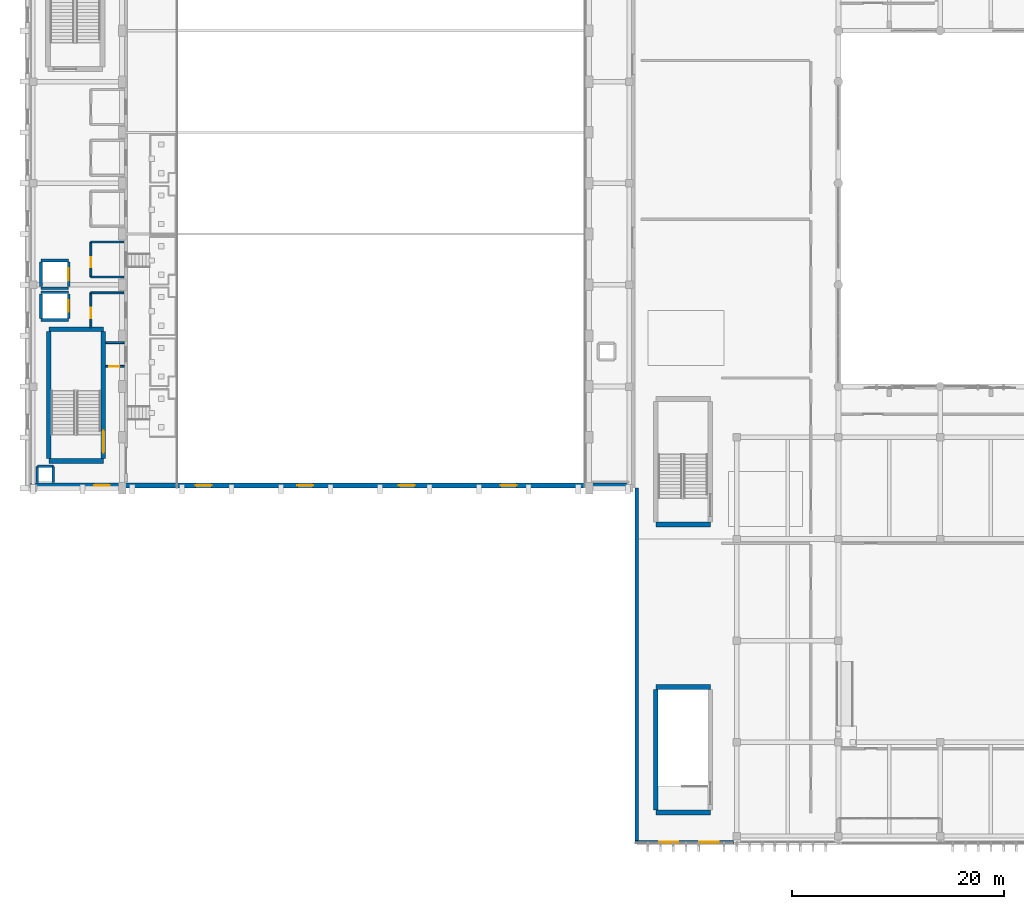
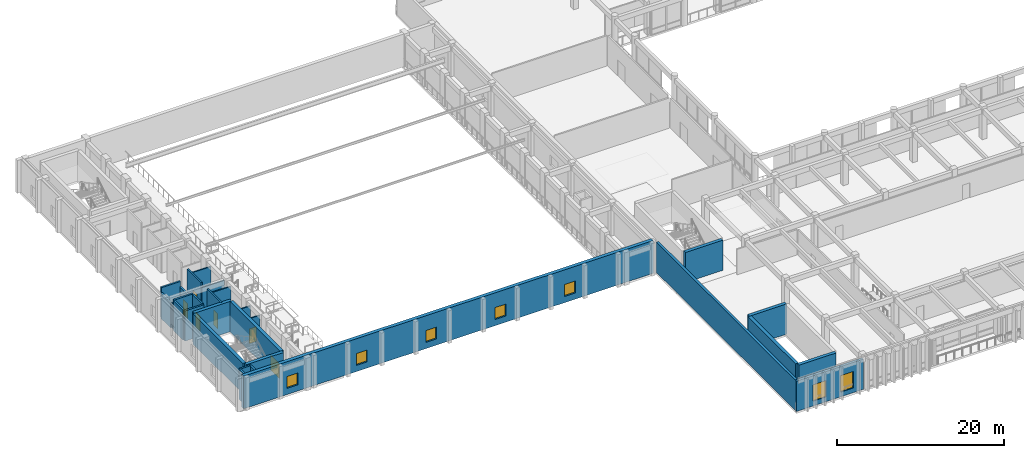
# One storey, part 98 of 133: 29 walls, 7 windows, 6 doors, 13 openings.
"""IFC4 building model written with IfcOpenShell, lengths in metres."""

from ifc_helpers import new_model, si_unit, direction, frame, frame_2d, origin, place, context, subcontext, project, spatial, rectangle, extrude, material, layer, layer_set, type_object, element, fill, save


model = new_model("IFC4")

# Units and contexts
model_context = context("Model", 3, precision=1e-05, world=origin(), true_north=direction((0.0, 1.0)))
body_context = subcontext(model_context, "Body", "Model", "MODEL_VIEW")
ifc_project = project(units=[si_unit("LENGTHUNIT", "METRE"), si_unit("AREAUNIT", "SQUARE_METRE"), si_unit("VOLUMEUNIT", "CUBIC_METRE"), si_unit("PLANEANGLEUNIT", "RADIAN"), si_unit("MASSUNIT", "GRAM", prefix="KILO")], contexts=[model_context])

# Site, building, storey
site_placement = place(None, origin())
site = spatial("IfcSite", under=ifc_project, at=site_placement, CompositionType="ELEMENT")
building_placement = place(site_placement, origin())
building = spatial("IfcBuilding", under=site, at=building_placement, Name="Nakhvara Creek Congress Hotel", CompositionType="ELEMENT")
storey_placement = place(building_placement, frame((0.0, 0.0, 11.39990234375)))
storey = spatial("IfcBuildingStorey", under=building, at=storey_placement, Name="L02", CompositionType="ELEMENT", Elevation=11.39990234375)

# Walls
ifc_material_1 = material(Name="Concrete C50/60", Category="concrete")
ifc_layer_1 = layer(ifc_material_1, 0.449951171875)
ifc_layer_set_1 = layer_set([ifc_layer_1], Name="Concrete C50/60")
wall_type_1 = type_object("IfcWallType", Name="W-CORE-450", PredefinedType="SHEAR", material=ifc_layer_set_1)
for number, where, z_axis, x_axis, name in (
    (1, (2.22998046875, 36.179931640625, 0.0), (0.0, 0.0, 1.0), (1.0, 0.0, 0.0), "Core Shear Wall WS02-CWALL-L02-0757"),
    (2, (2.22998046875, 48.6201171875, 0.0), (0.0, 0.0, 1.0), (1.0, 0.0, 0.0), "Core Shear Wall WS02-CWALL-L02-0758"),
):
    element("IfcWall", number, at=place(storey_placement, frame(where, z_axis=z_axis, x_axis=x_axis)), inside=storey, type_object=wall_type_1, Name=name, PredefinedType="SHEAR", context=body_context, shape_type="SweptSolid", body=[
        extrude(rectangle(XDim=5.14990234375, YDim=0.449951171875, at=frame_2d((2.574951171875, 0.0))), origin(), (0.0, 0.0, 1.0), 4.420166015625),
    ])
wall_1_placement = place(storey_placement, frame((2.22998046875, 36.39990234375, 0.0), z_axis=(0.0, 0.0, 1.0), x_axis=(0.0, 1.0, 0.0)))
element("IfcWall", 3, at=wall_1_placement, inside=storey, type_object=wall_type_1, Name="Core Shear Wall WS02-CWALL-L02-0759", PredefinedType="SHEAR", context=body_context, shape_type="SweptSolid", body=[
    extrude(rectangle(XDim=12.0, YDim=0.449951171875, at=frame_2d((6.0, 0.0))), origin(), (0.0, 0.0, 1.0), 4.420166015625),
])

# Wall, opening, door
wall_2_placement = place(storey_placement, frame((7.3798828125, 36.39990234375, 0.0), z_axis=(0.0, 0.0, 1.0), x_axis=(0.0, 1.0, 0.0)))
wall_2 = element("IfcWall", 4, at=wall_2_placement, inside=storey, type_object=wall_type_1, Name="Core Shear Wall WS02-CWALL-L02-0760", PredefinedType="SHEAR", context=body_context, shape_type="SweptSolid", body=[
    extrude(rectangle(XDim=12.0, YDim=0.449951171875, at=frame_2d((6.0, 0.0))), origin(), (0.0, 0.0, 1.0), 4.420166015625),
])
opening_1_placement = place(wall_2_placement, frame((0.550048828125, 0.0, 0.0)))
opening_1 = element("IfcOpeningElement", 5, at=opening_1_placement, cuts=wall_2, Name="Opening FD19", PredefinedType="OPENING", context=body_context, shape_type="SweptSolid", body=[
    extrude(rectangle(XDim=2.10009765625, YDim=2.199951171875, at=frame_2d((1.050048828125, 1.10009765625))), frame((0.0, 0.23681640625, 0.0), z_axis=(0.0, -1.0, 0.0), x_axis=(1.0, 0.0, 0.0)), (0.0, 0.0, 1.0), 0.473876953125),
])
ifc_material_2 = material(Name="Galvanised steel acoustic fire door", Category="steel")
door_type_1 = type_object("IfcDoorType", Name="DT-STAIR-220", OperationType="DOUBLE_DOOR_SINGLE_SWING", PredefinedType="DOOR", material=ifc_material_2)
door_1_placement = place(opening_1_placement, frame((2.10009765625, 0.0, 0.0), z_axis=(0.0, 0.0, 1.0), x_axis=(-1.0, 0.0, 0.0)))
door_1 = element("IfcDoor", 6, at=door_1_placement, inside=storey, type_object=door_type_1, Name="Stair Exit Door ST05-L02", OperationType="DOUBLE_DOOR_SINGLE_SWING", OverallHeight=2.199951171875, OverallWidth=2.10009765625, PredefinedType="DOOR", context=body_context, shape_type="SweptSolid", body=[
    extrude(rectangle(XDim=2.10009765625, YDim=2.199951171875, at=frame_2d((1.050048828125, 1.10009765625))), frame((0.0, 0.02490234375, 0.0), z_axis=(0.0, -1.0, 0.0), x_axis=(1.0, 0.0, 0.0)), (0.0, 0.0, 1.0), 0.050048828125),
])
fill(opening_1, door_1)

# Walls
for number, where, z_axis, x_axis, name in (
    (7, (59.550048828125, 2.97998046875, 0.0), (0.0, 0.0, 1.0), (1.0, 0.0, 0.0), "Core Shear Wall WS02-CWALL-L02-0951"),
    (8, (59.550048828125, 14.820068359375, 0.0), (0.0, 0.0, 1.0), (1.0, 0.0, 0.0), "Core Shear Wall WS02-CWALL-L02-0952"),
):
    element("IfcWall", number, at=place(storey_placement, frame(where, z_axis=z_axis, x_axis=x_axis)), inside=storey, type_object=wall_type_1, Name=name, PredefinedType="SHEAR", context=body_context, shape_type="SweptSolid", body=[
        extrude(rectangle(XDim=5.14990234375, YDim=0.449951171875, at=frame_2d((2.574951171875, 0.0))), origin(), (0.0, 0.0, 1.0), 4.420166015625),
    ])
wall_3_placement = place(storey_placement, frame((59.550048828125, 3.199951171875, 0.0), z_axis=(0.0, 0.0, 1.0), x_axis=(0.0, 1.0, 0.0)))
element("IfcWall", 9, at=wall_3_placement, inside=storey, type_object=wall_type_1, Name="Core Shear Wall WS02-CWALL-L02-0953", PredefinedType="SHEAR", context=body_context, shape_type="SweptSolid", body=[
    extrude(rectangle(XDim=11.400146484375, YDim=0.449951171875, at=frame_2d((5.7001953125, 0.0))), origin(), (0.0, 0.0, 1.0), 4.420166015625),
])
wall_4_placement = place(storey_placement, frame((59.550048828125, 30.179931640625, 0.0), z_axis=(0.0, 0.0, 1.0), x_axis=(1.0, 0.0, 0.0)))
element("IfcWall", 10, at=wall_4_placement, inside=storey, type_object=wall_type_1, Name="Core Shear Wall WS02-CWALL-L02-0995", PredefinedType="SHEAR", context=body_context, shape_type="SweptSolid", body=[
    extrude(rectangle(XDim=5.14990234375, YDim=0.449951171875, at=frame_2d((2.574951171875, 0.0))), origin(), (0.0, 0.0, 1.0), 4.420166015625),
])
ifc_material_3 = material(Name="Architectural GRC panel")
ifc_layer_2 = layer(ifc_material_3, 0.0400390625)
ifc_material_4 = material(Name="Mineral wool thermal insulation")
ifc_layer_3 = layer(ifc_material_4, 0.10009765625)
ifc_material_5 = material(Name="Precast concrete C40/50", Category="concrete")
ifc_layer_4 = layer(ifc_material_5, 0.199951171875)
ifc_layer_set_2 = layer_set([ifc_layer_2, ifc_layer_3, ifc_layer_4], Name="Precast concrete C40/50")
wall_type_2 = type_object("IfcWallType", Name="W-EXT-340", PredefinedType="SOLIDWALL", material=ifc_layer_set_2)
wall_5_placement = place(storey_placement, frame((57.77001953125, 0.14990234375, 0.0), z_axis=(0.0, 0.0, 1.0), x_axis=(0.0, 1.0, 0.0)))
element("IfcWall", 11, at=wall_5_placement, inside=storey, type_object=wall_type_2, Name="Exterior Wall WE04-EW-L02-0078", PredefinedType="SOLIDWALL", context=body_context, shape_type="SweptSolid", body=[
    extrude(rectangle(XDim=33.4501953125, YDim=0.340087890625, at=frame_2d((16.72509765625, 0.0))), origin(), (0.0, 0.0, 1.0), 4.420166015625),
])

# Wall, openings, windows
wall_6_placement = place(storey_placement, frame((66.875, 0.169921875, 0.0), z_axis=(0.0, 0.0, 1.0), x_axis=(-1.0, 0.0, 0.0)))
wall_6 = element("IfcWall", 12, at=wall_6_placement, inside=storey, type_object=wall_type_2, Name="Exterior Wall WE04-EW-L02-0086", PredefinedType="SOLIDWALL", context=body_context, shape_type="SweptSolid", body=[
    extrude(rectangle(XDim=9.27490234375, YDim=0.340087890625, at=frame_2d((4.637451171875, 0.0))), origin(), (0.0, 0.0, 1.0), 4.420166015625),
])
opening_2_placement = place(wall_6_placement, frame((1.39990234375, 0.0, 0.699951171875)))
opening_2 = element("IfcOpeningElement", 13, at=opening_2_placement, cuts=wall_6, Name="Opening WN0086", PredefinedType="OPENING", context=body_context, shape_type="SweptSolid", body=[
    extrude(rectangle(XDim=1.800048828125, YDim=2.39990234375, at=frame_2d((0.89990234375, 1.199951171875))), frame((0.0, 0.18212890625, 0.0), z_axis=(0.0, -1.0, 0.0), x_axis=(1.0, 0.0, 0.0)), (0.0, 0.0, 1.0), 0.364013671875),
])
opening_3_placement = place(wall_6_placement, frame((5.199951171875, 0.0, 0.699951171875)))
opening_3 = element("IfcOpeningElement", 14, at=opening_3_placement, cuts=wall_6, Name="Opening WN0087", PredefinedType="OPENING", context=body_context, shape_type="SweptSolid", body=[
    extrude(rectangle(XDim=1.800048828125, YDim=2.39990234375, at=frame_2d((0.89990234375, 1.199951171875))), frame((0.0, 0.18212890625, 0.0), z_axis=(0.0, -1.0, 0.0), x_axis=(1.0, 0.0, 0.0)), (0.0, 0.0, 1.0), 0.364013671875),
])
ifc_material_6 = material(Name="Thermally broken bronze-anodised aluminium and double-silver low-E insulated glass", Category="aluminium")
window_type_1 = type_object("IfcWindowType", Name="WN-SPA-180X240", PartitioningType="SINGLE_PANEL", PredefinedType="WINDOW", material=ifc_material_6)
window_1_placement = place(opening_2_placement, origin())
window_1 = element("IfcWindow", 15, at=window_1_placement, inside=storey, type_object=window_type_1, Name="Facade Window WN0086", OverallHeight=2.39990234375, OverallWidth=1.800048828125, PartitioningType="SINGLE_PANEL", PredefinedType="WINDOW", context=body_context, shape_type="SweptSolid", body=[
    extrude(rectangle(XDim=1.800048828125, YDim=2.39990234375, at=frame_2d((0.89990234375, 1.199951171875))), frame((0.0, 0.030029296875, 0.0), z_axis=(0.0, -1.0, 0.0), x_axis=(1.0, 0.0, 0.0)), (0.0, 0.0, 1.0), 0.06005859375),
])
fill(opening_2, window_1)
window_2_placement = place(opening_3_placement, origin())
window_2 = element("IfcWindow", 16, at=window_2_placement, inside=storey, type_object=window_type_1, Name="Facade Window WN0087", OverallHeight=2.39990234375, OverallWidth=1.800048828125, PartitioningType="SINGLE_PANEL", PredefinedType="WINDOW", context=body_context, shape_type="SweptSolid", body=[
    extrude(rectangle(XDim=1.800048828125, YDim=2.39990234375, at=frame_2d((0.89990234375, 1.199951171875))), frame((0.0, 0.030029296875, 0.0), z_axis=(0.0, -1.0, 0.0), x_axis=(1.0, 0.0, 0.0)), (0.0, 0.0, 1.0), 0.06005859375),
])
fill(opening_3, window_2)

ifc_material_7 = material(Name="Honed pale Omani limestone cladding", Category="masonry")
ifc_layer_5 = layer(ifc_material_7, 0.06005859375)
ifc_layer_6 = layer(ifc_material_4, 0.1201171875)
ifc_layer_7 = layer(ifc_material_5, 0.300048828125)
ifc_layer_set_3 = layer_set([ifc_layer_5, ifc_layer_6, ifc_layer_7], Name="Precast concrete C40/50")
wall_type_3 = type_object("IfcWallType", Name="W-HALL-480", PredefinedType="SOLIDWALL", material=ifc_layer_set_3)
wall_7_placement = place(storey_placement, frame((0.5, 33.840087890625, 0.0), z_axis=(0.0, 0.0, 1.0), x_axis=(1.0, 0.0, 0.0)))
wall_7 = element("IfcWall", 17, at=wall_7_placement, inside=storey, type_object=wall_type_3, Name="Exterior Wall WE01-EW-L02-0066", PredefinedType="SOLIDWALL", context=body_context, shape_type="SweptSolid", body=[
    extrude(rectangle(XDim=56.699951171875, YDim=0.47998046875, at=frame_2d((28.35009765625, 0.0))), origin(), (0.0, 0.0, 1.0), 4.800048828125),
])
opening_4_placement = place(wall_7_placement, frame((6.0, 0.0, 0.89990234375)))
opening_4 = element("IfcOpeningElement", 18, at=opening_4_placement, cuts=wall_7, Name="Opening WN0079", PredefinedType="OPENING", context=body_context, shape_type="SweptSolid", body=[
    extrude(rectangle(XDim=1.5, YDim=1.739990234375, at=frame_2d((0.75, 0.8701171875))), frame((0.0, 0.251953125, 0.0), z_axis=(0.0, -1.0, 0.0), x_axis=(1.0, 0.0, 0.0)), (0.0, 0.0, 1.0), 0.50390625),
])
opening_5_placement = place(wall_7_placement, frame((15.60009765625, 0.0, 0.89990234375)))
opening_5 = element("IfcOpeningElement", 19, at=opening_5_placement, cuts=wall_7, Name="Opening WN0080", PredefinedType="OPENING", context=body_context, shape_type="SweptSolid", body=[
    extrude(rectangle(XDim=1.5, YDim=1.739990234375, at=frame_2d((0.75, 0.8701171875))), frame((0.0, 0.251953125, 0.0), z_axis=(0.0, -1.0, 0.0), x_axis=(1.0, 0.0, 0.0)), (0.0, 0.0, 1.0), 0.50390625),
])
opening_6_placement = place(wall_7_placement, frame((25.199951171875, 0.0, 0.89990234375)))
opening_6 = element("IfcOpeningElement", 20, at=opening_6_placement, cuts=wall_7, Name="Opening WN0081", PredefinedType="OPENING", context=body_context, shape_type="SweptSolid", body=[
    extrude(rectangle(XDim=1.5, YDim=1.739990234375, at=frame_2d((0.75, 0.8701171875))), frame((0.0, 0.251953125, 0.0), z_axis=(0.0, -1.0, 0.0), x_axis=(1.0, 0.0, 0.0)), (0.0, 0.0, 1.0), 0.50390625),
])
opening_7_placement = place(wall_7_placement, frame((34.800048828125, 0.0, 0.89990234375)))
opening_7 = element("IfcOpeningElement", 21, at=opening_7_placement, cuts=wall_7, Name="Opening WN0082", PredefinedType="OPENING", context=body_context, shape_type="SweptSolid", body=[
    extrude(rectangle(XDim=1.5, YDim=1.739990234375, at=frame_2d((0.75, 0.8701171875))), frame((0.0, 0.251953125, 0.0), z_axis=(0.0, -1.0, 0.0), x_axis=(1.0, 0.0, 0.0)), (0.0, 0.0, 1.0), 0.50390625),
])
opening_8_placement = place(wall_7_placement, frame((44.39990234375, 0.0, 0.89990234375)))
opening_8 = element("IfcOpeningElement", 22, at=opening_8_placement, cuts=wall_7, Name="Opening WN0083", PredefinedType="OPENING", context=body_context, shape_type="SweptSolid", body=[
    extrude(rectangle(XDim=1.5, YDim=1.739990234375, at=frame_2d((0.75, 0.8701171875))), frame((0.0, 0.251953125, 0.0), z_axis=(0.0, -1.0, 0.0), x_axis=(1.0, 0.0, 0.0)), (0.0, 0.0, 1.0), 0.50390625),
])
window_type_2 = type_object("IfcWindowType", Name="WN-LAN-150X220", PartitioningType="SINGLE_PANEL", PredefinedType="WINDOW", material=ifc_material_6)
window_3_placement = place(opening_4_placement, origin())
window_3 = element("IfcWindow", 23, at=window_3_placement, inside=storey, type_object=window_type_2, Name="Facade Window WN0079", OverallHeight=1.739990234375, OverallWidth=1.5, PartitioningType="SINGLE_PANEL", PredefinedType="WINDOW", context=body_context, shape_type="SweptSolid", body=[
    extrude(rectangle(XDim=1.5, YDim=1.739990234375, at=frame_2d((0.75, 0.8701171875))), frame((0.0, 0.030029296875, 0.0), z_axis=(0.0, -1.0, 0.0), x_axis=(1.0, 0.0, 0.0)), (0.0, 0.0, 1.0), 0.06005859375),
])
fill(opening_4, window_3)
window_4_placement = place(opening_5_placement, origin())
window_4 = element("IfcWindow", 24, at=window_4_placement, inside=storey, type_object=window_type_2, Name="Facade Window WN0080", OverallHeight=1.739990234375, OverallWidth=1.5, PartitioningType="SINGLE_PANEL", PredefinedType="WINDOW", context=body_context, shape_type="SweptSolid", body=[
    extrude(rectangle(XDim=1.5, YDim=1.739990234375, at=frame_2d((0.75, 0.8701171875))), frame((0.0, 0.030029296875, 0.0), z_axis=(0.0, -1.0, 0.0), x_axis=(1.0, 0.0, 0.0)), (0.0, 0.0, 1.0), 0.06005859375),
])
fill(opening_5, window_4)
window_5_placement = place(opening_6_placement, origin())
window_5 = element("IfcWindow", 25, at=window_5_placement, inside=storey, type_object=window_type_2, Name="Facade Window WN0081", OverallHeight=1.739990234375, OverallWidth=1.5, PartitioningType="SINGLE_PANEL", PredefinedType="WINDOW", context=body_context, shape_type="SweptSolid", body=[
    extrude(rectangle(XDim=1.5, YDim=1.739990234375, at=frame_2d((0.75, 0.8701171875))), frame((0.0, 0.030029296875, 0.0), z_axis=(0.0, -1.0, 0.0), x_axis=(1.0, 0.0, 0.0)), (0.0, 0.0, 1.0), 0.06005859375),
])
fill(opening_6, window_5)
window_6_placement = place(opening_7_placement, origin())
window_6 = element("IfcWindow", 26, at=window_6_placement, inside=storey, type_object=window_type_2, Name="Facade Window WN0082", OverallHeight=1.739990234375, OverallWidth=1.5, PartitioningType="SINGLE_PANEL", PredefinedType="WINDOW", context=body_context, shape_type="SweptSolid", body=[
    extrude(rectangle(XDim=1.5, YDim=1.739990234375, at=frame_2d((0.75, 0.8701171875))), frame((0.0, 0.030029296875, 0.0), z_axis=(0.0, -1.0, 0.0), x_axis=(1.0, 0.0, 0.0)), (0.0, 0.0, 1.0), 0.06005859375),
])
fill(opening_7, window_6)
window_7_placement = place(opening_8_placement, origin())
window_7 = element("IfcWindow", 27, at=window_7_placement, inside=storey, type_object=window_type_2, Name="Facade Window WN0083", OverallHeight=1.739990234375, OverallWidth=1.5, PartitioningType="SINGLE_PANEL", PredefinedType="WINDOW", context=body_context, shape_type="SweptSolid", body=[
    extrude(rectangle(XDim=1.5, YDim=1.739990234375, at=frame_2d((0.75, 0.8701171875))), frame((0.0, 0.030029296875, 0.0), z_axis=(0.0, -1.0, 0.0), x_axis=(1.0, 0.0, 0.0)), (0.0, 0.0, 1.0), 0.06005859375),
])
fill(opening_8, window_7)

# Wall, opening, door
ifc_material_8 = material(Name="Gypsum acoustic board on steel stud", Category="steel")
ifc_layer_8 = layer(ifc_material_8, 0.179931640625)
ifc_layer_set_4 = layer_set([ifc_layer_8], Name="Gypsum acoustic board on steel stud")
wall_type_4 = type_object("IfcWallType", Name="W-MEET-180", PredefinedType="PARTITIONING", material=ifc_layer_set_4)
wall_8_placement = place(storey_placement, frame((7.6201171875, 45.10009765625, 0.0), z_axis=(0.0, 0.0, 1.0), x_axis=(1.0, 0.0, 0.0)))
wall_8 = element("IfcWall", 28, at=wall_8_placement, inside=storey, type_object=wall_type_4, Name="Interior Wall WP13-IW-L02-0011", PredefinedType="PARTITIONING", context=body_context, shape_type="SweptSolid", body=[
    extrude(rectangle(XDim=1.719970703125, YDim=0.179931640625, at=frame_2d((0.85986328125, 0.0))), origin(), (0.0, 0.0, 1.0), 3.692138671875),
])
opening_9_placement = place(wall_8_placement, frame((0.300048828125, 0.0, 0.0)))
opening_9 = element("IfcOpeningElement", 29, at=opening_9_placement, cuts=wall_8, Name="Opening MD03", PredefinedType="OPENING", context=body_context, shape_type="SweptSolid", body=[
    extrude(rectangle(XDim=0.97998046875, YDim=2.14990234375, at=frame_2d((0.489990234375, 1.074951171875))), frame((0.0, 0.10205078125, 0.0), z_axis=(0.0, -1.0, 0.0), x_axis=(1.0, 0.0, 0.0)), (0.0, 0.0, 1.0), 0.203857421875),
])
ifc_material_9 = material(Name="Acoustic ISO 2603 sound-lock timber door", Category="wood")
door_type_2 = type_object("IfcDoorType", Name="DT-ISO-098", OperationType="NOTDEFINED", PredefinedType="DOOR", material=ifc_material_9)
door_2_placement = place(opening_9_placement, frame((0.97998046875, 0.0, 0.0), z_axis=(0.0, 0.0, 1.0), x_axis=(-1.0, 0.0, 0.0)))
door_2 = element("IfcDoor", 30, at=door_2_placement, inside=storey, type_object=door_type_2, Name="Interior Door MD03-0017", OperationType="SINGLE_SWING_RIGHT", OverallHeight=2.14990234375, OverallWidth=0.97998046875, PredefinedType="DOOR", context=body_context, shape_type="SweptSolid", body=[
    extrude(rectangle(XDim=0.97998046875, YDim=2.14990234375, at=frame_2d((0.489990234375, 1.074951171875))), frame((0.0, 0.02490234375, 0.0), z_axis=(0.0, -1.0, 0.0), x_axis=(1.0, 0.0, 0.0)), (0.0, 0.0, 1.0), 0.050048828125),
])
fill(opening_9, door_2)

# Wall
wall_9_placement = place(storey_placement, frame((7.6201171875, 47.35009765625, 0.0), z_axis=(0.0, 0.0, 1.0), x_axis=(1.0, 0.0, 0.0)))
element("IfcWall", 31, at=wall_9_placement, inside=storey, type_object=wall_type_4, Name="Interior Wall WP13-IW-L02-0012", PredefinedType="PARTITIONING", context=body_context, shape_type="SweptSolid", body=[
    extrude(rectangle(XDim=1.719970703125, YDim=0.179931640625, at=frame_2d((0.85986328125, 0.0))), origin(), (0.0, 0.0, 1.0), 3.692138671875),
])

# Wall, opening, door
wall_10_placement = place(storey_placement, frame((6.199951171875, 48.75, 0.0), z_axis=(0.0, 0.0, 1.0), x_axis=(0.0, 1.0, 0.0)))
wall_10 = element("IfcWall", 32, at=wall_10_placement, inside=storey, type_object=wall_type_4, Name="Interior Wall WP13-IW-L02-0013", PredefinedType="PARTITIONING", context=body_context, shape_type="SweptSolid", body=[
    extrude(rectangle(XDim=3.300048828125, YDim=0.179931640625, at=frame_2d((1.64990234375, 0.0))), origin(), (0.0, 0.0, 1.0), 4.420166015625),
])
opening_10_placement = place(wall_10_placement, frame((0.89990234375, 0.0, 0.0)))
opening_10 = element("IfcOpeningElement", 33, at=opening_10_placement, cuts=wall_10, Name="Opening MD03", PredefinedType="OPENING", context=body_context, shape_type="SweptSolid", body=[
    extrude(rectangle(XDim=0.97998046875, YDim=2.14990234375, at=frame_2d((0.489990234375, 1.074951171875))), frame((0.0, 0.10205078125, 0.0), z_axis=(0.0, -1.0, 0.0), x_axis=(1.0, 0.0, 0.0)), (0.0, 0.0, 1.0), 0.203857421875),
])
door_3_placement = place(opening_10_placement, frame((0.97998046875, 0.0, 0.0), z_axis=(0.0, 0.0, 1.0), x_axis=(-1.0, 0.0, 0.0)))
door_3 = element("IfcDoor", 34, at=door_3_placement, inside=storey, type_object=door_type_2, Name="Interior Door MD03-0018", OperationType="SINGLE_SWING_LEFT", OverallHeight=2.14990234375, OverallWidth=0.97998046875, PredefinedType="DOOR", context=body_context, shape_type="SweptSolid", body=[
    extrude(rectangle(XDim=0.97998046875, YDim=2.14990234375, at=frame_2d((0.489990234375, 1.074951171875))), frame((0.0, 0.02490234375, 0.0), z_axis=(0.0, -1.0, 0.0), x_axis=(1.0, 0.0, 0.0)), (0.0, 0.0, 1.0), 0.050048828125),
])
fill(opening_10, door_3)

# Wall
wall_11_placement = place(storey_placement, frame((6.199951171875, 52.050048828125, 0.0), z_axis=(0.0, 0.0, 1.0), x_axis=(1.0, 0.0, 0.0)))
element("IfcWall", 35, at=wall_11_placement, inside=storey, type_object=wall_type_4, Name="Interior Wall WP13-IW-L02-0014", PredefinedType="PARTITIONING", context=body_context, shape_type="SweptSolid", body=[
    extrude(rectangle(XDim=3.1201171875, YDim=0.179931640625, at=frame_2d((1.56005859375, 0.0))), origin(), (0.0, 0.0, 1.0), 3.692138671875),
])

# Wall, opening, door
wall_12_placement = place(storey_placement, frame((6.199951171875, 53.550048828125, 0.0), z_axis=(0.0, 0.0, 1.0), x_axis=(0.0, 1.0, 0.0)))
wall_12 = element("IfcWall", 36, at=wall_12_placement, inside=storey, type_object=wall_type_4, Name="Interior Wall WP13-IW-L02-0015", PredefinedType="PARTITIONING", context=body_context, shape_type="SweptSolid", body=[
    extrude(rectangle(XDim=3.300048828125, YDim=0.179931640625, at=frame_2d((1.64990234375, 0.0))), origin(), (0.0, 0.0, 1.0), 4.420166015625),
])
opening_11_placement = place(wall_12_placement, frame((0.89990234375, 0.0, 0.0)))
opening_11 = element("IfcOpeningElement", 37, at=opening_11_placement, cuts=wall_12, Name="Opening MD03", PredefinedType="OPENING", context=body_context, shape_type="SweptSolid", body=[
    extrude(rectangle(XDim=0.97998046875, YDim=2.14990234375, at=frame_2d((0.489990234375, 1.074951171875))), frame((0.0, 0.10205078125, 0.0), z_axis=(0.0, -1.0, 0.0), x_axis=(1.0, 0.0, 0.0)), (0.0, 0.0, 1.0), 0.203857421875),
])
door_4_placement = place(opening_11_placement, frame((0.97998046875, 0.0, 0.0), z_axis=(0.0, 0.0, 1.0), x_axis=(-1.0, 0.0, 0.0)))
door_4 = element("IfcDoor", 38, at=door_4_placement, inside=storey, type_object=door_type_2, Name="Interior Door MD03-0019", OperationType="SINGLE_SWING_RIGHT", OverallHeight=2.14990234375, OverallWidth=0.97998046875, PredefinedType="DOOR", context=body_context, shape_type="SweptSolid", body=[
    extrude(rectangle(XDim=0.97998046875, YDim=2.14990234375, at=frame_2d((0.489990234375, 1.074951171875))), frame((0.0, 0.02490234375, 0.0), z_axis=(0.0, -1.0, 0.0), x_axis=(1.0, 0.0, 0.0)), (0.0, 0.0, 1.0), 0.050048828125),
])
fill(opening_11, door_4)

# Walls
for number, where, z_axis, x_axis, name in (
    (39, (6.199951171875, 53.550048828125, 0.0), (0.0, 0.0, 1.0), (1.0, 0.0, 0.0), "Interior Wall WP13-IW-L02-0016"),
    (40, (6.199951171875, 56.85009765625, 0.0), (0.0, 0.0, 1.0), (1.0, 0.0, 0.0), "Interior Wall WP13-IW-L02-0017"),
):
    element("IfcWall", number, at=place(storey_placement, frame(where, z_axis=z_axis, x_axis=x_axis)), inside=storey, type_object=wall_type_4, Name=name, PredefinedType="PARTITIONING", context=body_context, shape_type="SweptSolid", body=[
        extrude(rectangle(XDim=3.1201171875, YDim=0.179931640625, at=frame_2d((1.56005859375, 0.0))), origin(), (0.0, 0.0, 1.0), 3.692138671875),
    ])
ifc_material_10 = material(Name="Concrete C40/50", Category="concrete")
ifc_layer_9 = layer(ifc_material_10, 0.25)
ifc_layer_set_5 = layer_set([ifc_layer_9], Name="Concrete C40/50")
wall_type_5 = type_object("IfcWallType", Name="W-SHAFT-250", PredefinedType="SOLIDWALL", material=ifc_layer_set_5)
for number, where, z_axis, x_axis, name in (
    (41, (1.489990234375, 49.489990234375, 0.0), (0.0, 0.0, 1.0), (1.0, 0.0, 0.0), "Core Shear Wall WI02-CWALL-L02-0761"),
    (42, (1.489990234375, 52.110107421875, 0.0), (0.0, 0.0, 1.0), (1.0, 0.0, 0.0), "Core Shear Wall WI02-CWALL-L02-0762"),
):
    element("IfcWall", number, at=place(storey_placement, frame(where, z_axis=z_axis, x_axis=x_axis)), inside=storey, type_object=wall_type_5, Name=name, PredefinedType="SOLIDWALL", context=body_context, shape_type="SweptSolid", body=[
        extrude(rectangle(XDim=2.6201171875, YDim=0.25, at=frame_2d((1.31005859375, 0.0))), origin(), (0.0, 0.0, 1.0), 4.420166015625),
    ])
wall_13_placement = place(storey_placement, frame((1.489990234375, 49.64990234375, 0.0), z_axis=(0.0, 0.0, 1.0), x_axis=(0.0, 1.0, 0.0)))
element("IfcWall", 43, at=wall_13_placement, inside=storey, type_object=wall_type_5, Name="Core Shear Wall WI02-CWALL-L02-0763", PredefinedType="SOLIDWALL", context=body_context, shape_type="SweptSolid", body=[
    extrude(rectangle(XDim=2.300048828125, YDim=0.25, at=frame_2d((1.14990234375, 0.0))), origin(), (0.0, 0.0, 1.0), 4.420166015625),
])

# Wall, opening, door
wall_14_placement = place(storey_placement, frame((4.110107421875, 49.64990234375, 0.0), z_axis=(0.0, 0.0, 1.0), x_axis=(0.0, 1.0, 0.0)))
wall_14 = element("IfcWall", 44, at=wall_14_placement, inside=storey, type_object=wall_type_5, Name="Core Shear Wall WI02-CWALL-L02-0764", PredefinedType="SOLIDWALL", context=body_context, shape_type="SweptSolid", body=[
    extrude(rectangle(XDim=2.300048828125, YDim=0.25, at=frame_2d((1.14990234375, 0.0))), origin(), (0.0, 0.0, 1.0), 4.420166015625),
])
opening_12_placement = place(wall_14_placement, frame((0.60009765625, 0.0, 0.0)))
opening_12 = element("IfcOpeningElement", 45, at=opening_12_placement, cuts=wall_14, Name="Opening LD01", PredefinedType="OPENING", context=body_context, shape_type="SweptSolid", body=[
    extrude(rectangle(XDim=1.10009765625, YDim=2.199951171875, at=frame_2d((0.550048828125, 1.10009765625))), frame((0.0, 0.136962890625, 0.0), z_axis=(0.0, -1.0, 0.0), x_axis=(1.0, 0.0, 0.0)), (0.0, 0.0, 1.0), 0.27392578125),
])
ifc_material_11 = material(Name="Brushed stainless steel sliding landing door", Category="steel")
door_type_3 = type_object("IfcDoorType", Name="DT-LIFT-110", OperationType="DOUBLE_DOOR_SLIDING", PredefinedType="DOOR", material=ifc_material_11)
door_5_placement = place(opening_12_placement, origin())
door_5 = element("IfcDoor", 46, at=door_5_placement, inside=storey, type_object=door_type_3, Name="Landing Door CL01-L02", OperationType="SLIDING_TO_LEFT", OverallHeight=2.199951171875, OverallWidth=1.10009765625, PredefinedType="DOOR", context=body_context, shape_type="SweptSolid", body=[
    extrude(rectangle(XDim=1.10009765625, YDim=2.199951171875, at=frame_2d((0.550048828125, 1.10009765625))), frame((0.0, 0.02490234375, 0.0), z_axis=(0.0, -1.0, 0.0), x_axis=(1.0, 0.0, 0.0)), (0.0, 0.0, 1.0), 0.050048828125),
])
fill(opening_12, door_5)

# Walls
wall_15_placement = place(storey_placement, frame((1.489990234375, 52.489990234375, 0.0), z_axis=(0.0, 0.0, 1.0), x_axis=(1.0, 0.0, 0.0)))
element("IfcWall", 47, at=wall_15_placement, inside=storey, type_object=wall_type_5, Name="Core Shear Wall WI02-CWALL-L02-0765", PredefinedType="SOLIDWALL", context=body_context, shape_type="SweptSolid", body=[
    extrude(rectangle(XDim=2.6201171875, YDim=0.25, at=frame_2d((1.31005859375, 0.0))), origin(), (0.0, 0.0, 1.0), 3.692138671875),
])
wall_16_placement = place(storey_placement, frame((1.489990234375, 55.110107421875, 0.0), z_axis=(0.0, 0.0, 1.0), x_axis=(1.0, 0.0, 0.0)))
element("IfcWall", 48, at=wall_16_placement, inside=storey, type_object=wall_type_5, Name="Core Shear Wall WI02-CWALL-L02-0766", PredefinedType="SOLIDWALL", context=body_context, shape_type="SweptSolid", body=[
    extrude(rectangle(XDim=2.6201171875, YDim=0.25, at=frame_2d((1.31005859375, 0.0))), origin(), (0.0, 0.0, 1.0), 4.420166015625),
])
wall_17_placement = place(storey_placement, frame((1.489990234375, 52.64990234375, 0.0), z_axis=(0.0, 0.0, 1.0), x_axis=(0.0, 1.0, 0.0)))
element("IfcWall", 49, at=wall_17_placement, inside=storey, type_object=wall_type_5, Name="Core Shear Wall WI02-CWALL-L02-0767", PredefinedType="SOLIDWALL", context=body_context, shape_type="SweptSolid", body=[
    extrude(rectangle(XDim=2.300048828125, YDim=0.25, at=frame_2d((1.14990234375, 0.0))), origin(), (0.0, 0.0, 1.0), 3.692138671875),
])

# Wall, opening, door
wall_18_placement = place(storey_placement, frame((4.110107421875, 52.64990234375, 0.0), z_axis=(0.0, 0.0, 1.0), x_axis=(0.0, 1.0, 0.0)))
wall_18 = element("IfcWall", 50, at=wall_18_placement, inside=storey, type_object=wall_type_5, Name="Core Shear Wall WI02-CWALL-L02-0768", PredefinedType="SOLIDWALL", context=body_context, shape_type="SweptSolid", body=[
    extrude(rectangle(XDim=2.300048828125, YDim=0.25, at=frame_2d((1.14990234375, 0.0))), origin(), (0.0, 0.0, 1.0), 3.692138671875),
])
opening_13_placement = place(wall_18_placement, frame((0.60009765625, 0.0, 0.0)))
opening_13 = element("IfcOpeningElement", 51, at=opening_13_placement, cuts=wall_18, Name="Opening LD01", PredefinedType="OPENING", context=body_context, shape_type="SweptSolid", body=[
    extrude(rectangle(XDim=1.10009765625, YDim=2.199951171875, at=frame_2d((0.550048828125, 1.10009765625))), frame((0.0, 0.136962890625, 0.0), z_axis=(0.0, -1.0, 0.0), x_axis=(1.0, 0.0, 0.0)), (0.0, 0.0, 1.0), 0.27392578125),
])
door_6_placement = place(opening_13_placement, origin())
door_6 = element("IfcDoor", 52, at=door_6_placement, inside=storey, type_object=door_type_3, Name="Landing Door CL02-L02", OperationType="SLIDING_TO_LEFT", OverallHeight=2.199951171875, OverallWidth=1.10009765625, PredefinedType="DOOR", context=body_context, shape_type="SweptSolid", body=[
    extrude(rectangle(XDim=1.10009765625, YDim=2.199951171875, at=frame_2d((0.550048828125, 1.10009765625))), frame((0.0, 0.02490234375, 0.0), z_axis=(0.0, -1.0, 0.0), x_axis=(1.0, 0.0, 0.0)), (0.0, 0.0, 1.0), 0.050048828125),
])
fill(opening_13, door_6)

# Walls
for number, where, z_axis, x_axis, name in (
    (53, (2.659912109375, 34.139892578125, 0.0), (0.0, 0.0, 1.0), (0.0, 1.0, 0.0), "MEP Riser Enclosure Wall L02-017"),
    (54, (2.659912109375, 35.659912109375, 0.0), (0.0, 0.0, 1.0), (-1.0, 0.0, 0.0), "MEP Riser Enclosure Wall L02-018"),
    (55, (1.139892578125, 35.659912109375, 0.0), (0.0, 0.0, 1.0), (0.0, -1.0, 0.0), "MEP Riser Enclosure Wall L02-019"),
):
    element("IfcWall", number, at=place(storey_placement, frame(where, z_axis=z_axis, x_axis=x_axis)), inside=storey, type_object=wall_type_5, Name=name, PredefinedType="SOLIDWALL", context=body_context, shape_type="SweptSolid", body=[
        extrude(rectangle(XDim=1.52001953125, YDim=0.25, at=frame_2d((0.760009765625, 0.0))), origin(), (0.0, 0.0, 1.0), 4.420166015625),
    ])

save(model, "model.ifc")
